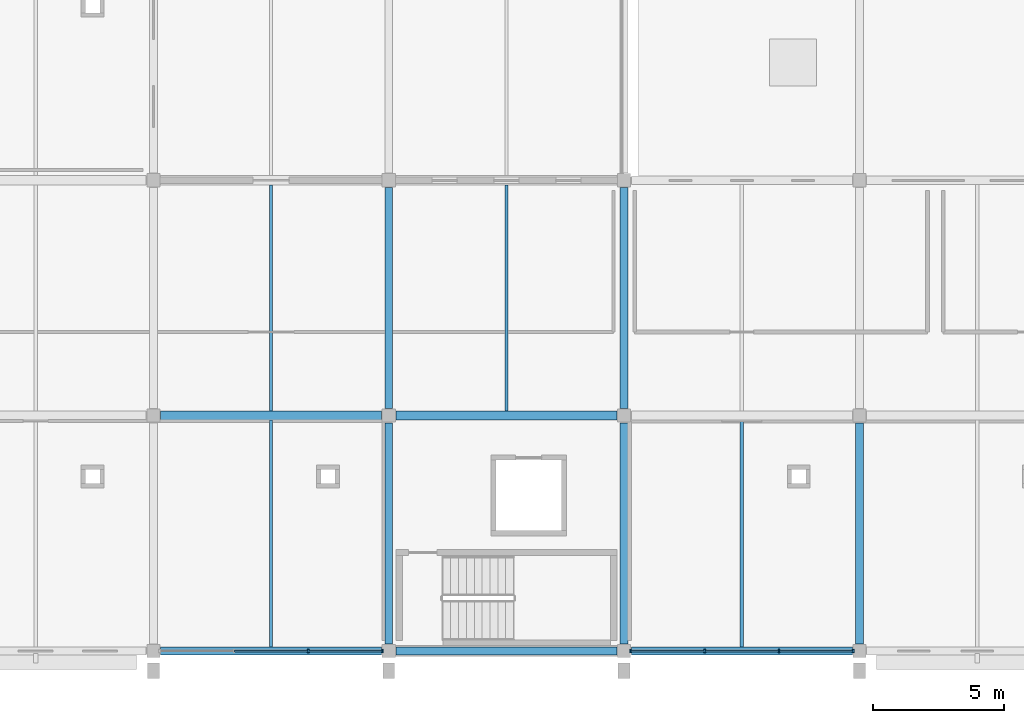
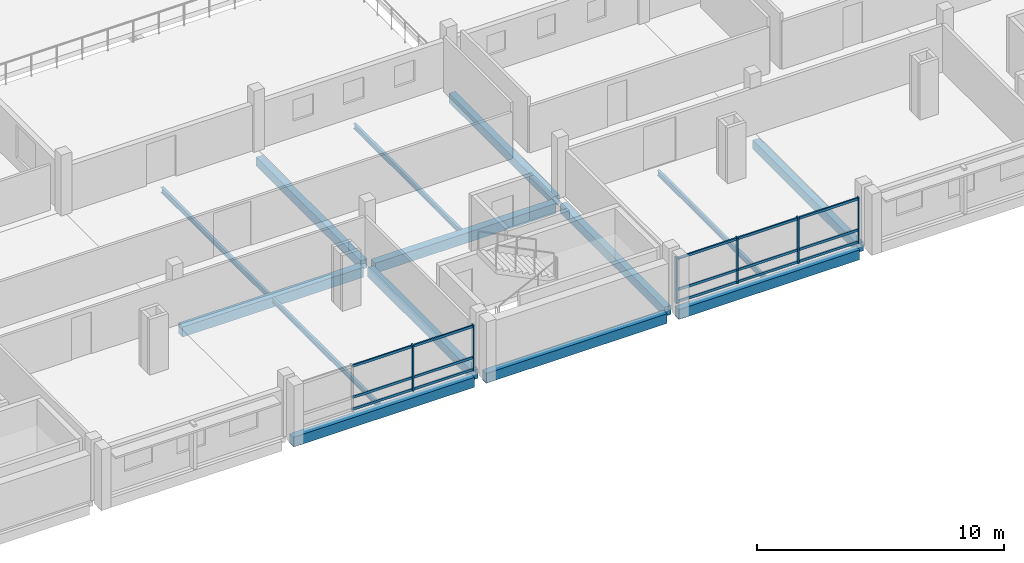
# One storey, part 5 of 25: 21 members, 14 beams, 2 elements without a shape of their own.
"""IFC4 building model written with IfcOpenShell, lengths in metres."""

from ifc_helpers import new_model, si_unit, direction, frame, origin, origin_2d, place, context, subcontext, project, spatial, rectangle, i_section, extrude, material, material_profile, profile_set, type_object, element, aggregate, save


model = new_model("IFC4")

# Units and contexts
model_context = context("Model", 3, precision=1e-05, world=origin(), true_north=direction((0.0, 1.0)))
body_context = subcontext(model_context, "Body", "Model", "MODEL_VIEW")
ifc_project = project(units=[si_unit("LENGTHUNIT", "METRE"), si_unit("AREAUNIT", "SQUARE_METRE"), si_unit("VOLUMEUNIT", "CUBIC_METRE"), si_unit("PLANEANGLEUNIT", "RADIAN"), si_unit("MASSUNIT", "GRAM", prefix="KILO")], contexts=[model_context])

# Site, building, storey
site_placement = place(None, origin())
site = spatial("IfcSite", under=ifc_project, at=site_placement, CompositionType="ELEMENT")
building_placement = place(site_placement, origin())
building = spatial("IfcBuilding", under=site, at=building_placement, Name="Tharagai Park Tramway Depot", CompositionType="ELEMENT")
storey_placement = place(building_placement, frame((0.0, 0.0, 12.0)))
storey = spatial("IfcBuildingStorey", under=building, at=storey_placement, Name="L03", CompositionType="ELEMENT", Elevation=12.0)

# Beams
ifc_material_1 = material(Name="Concrete M35", Category="concrete")
ifc_material_profile_1 = material_profile(ifc_material_1, rectangle(XDim=0.35009765625, YDim=0.5, at=origin_2d()), Name="RC 350x500")
ifc_profile_set_1 = profile_set([ifc_material_profile_1], Name="Concrete M35")
beam_type_1 = type_object("IfcBeamType", Name="BM-11", PredefinedType="BEAM", material=ifc_profile_set_1)
for number, where, z_axis, x_axis, name in (
    (1, (27.27490234375, 9.0, -0.5), (1.0, 0.0, 0.0), (0.0, 1.0, 0.0), "L03 Grid Beam BM-11"),
    (2, (36.27490234375, 9.0, -0.5), (1.0, 0.0, 0.0), (0.0, 1.0, 0.0), "L03 Grid Beam BM-11"),
):
    element("IfcBeam", number, at=place(storey_placement, frame(where, z_axis=z_axis, x_axis=x_axis)), inside=storey, type_object=beam_type_1, Name=name, PredefinedType="BEAM", context=body_context, shape_type="SweptSolid", body=[
        extrude(rectangle(XDim=0.35009765625, YDim=0.5, at=origin_2d()), origin(), (0.0, 0.0, 1.0), 8.4501953125),
    ])
ifc_material_profile_2 = material_profile(ifc_material_1, rectangle(XDim=0.300048828125, YDim=0.449951171875, at=origin_2d()), Name="RC 300x450")
ifc_profile_set_2 = profile_set([ifc_material_profile_2], Name="Concrete M35")
beam_type_2 = type_object("IfcBeamType", Name="BM-14", PredefinedType="BEAM", material=ifc_profile_set_2)
for number, where, z_axis, x_axis, name in (
    (3, (36.0, 0.27490234375, -0.47509765625), (0.0, 1.0, 0.0), (-1.0, 0.0, 0.0), "L03 Grid Beam BM-14"),
    (4, (36.0, 9.27490234375, -0.47509765625), (0.0, 1.0, 0.0), (-1.0, 0.0, 0.0), "L03 Grid Beam BM-14"),
    (5, (45.0, 0.27490234375, -0.47509765625), (0.0, 1.0, 0.0), (-1.0, 0.0, 0.0), "L03 Grid Beam BM-14"),
    (6, (45.0, 9.27490234375, -0.47509765625), (0.0, 1.0, 0.0), (-1.0, 0.0, 0.0), "L03 Grid Beam BM-14"),
    (7, (54.0, 0.27490234375, -0.47509765625), (0.0, 1.0, 0.0), (-1.0, 0.0, 0.0), "L03 Grid Beam BM-14"),
):
    element("IfcBeam", number, at=place(storey_placement, frame(where, z_axis=z_axis, x_axis=x_axis)), inside=storey, type_object=beam_type_2, Name=name, PredefinedType="BEAM", context=body_context, shape_type="SweptSolid", body=[
        extrude(rectangle(XDim=0.300048828125, YDim=0.449951171875, at=origin_2d()), origin(), (0.0, 0.0, 1.0), 8.4501953125),
    ])

# Curtain wall, members
ifc_material_2 = material(Name="Anodised aluminium", Category="aluminium")
curtain_wall_type = type_object("IfcCurtainWallType", Name="CW-01", PredefinedType="NOTDEFINED", material=ifc_material_2)
curtain_wall_1_placement = place(storey_placement, origin())
curtain_wall_1 = element("IfcCurtainWall", 8, at=curtain_wall_1_placement, inside=storey, type_object=curtain_wall_type, Name="L03 V4 Gothic Mullioned Curtain Wall CW-01", PredefinedType="NOTDEFINED")
ifc_material_profile_3 = material_profile(ifc_material_2, rectangle(XDim=0.06494140625, YDim=0.1201171875, at=origin_2d()), Name="ALU 65x120")
ifc_profile_set_3 = profile_set([ifc_material_profile_3], Name="Anodised aluminium")
member_type_1 = type_object("IfcMemberType", Name="CM-01", PredefinedType="USERDEFINED", material=ifc_profile_set_3)
member_1_placement = place(storey_placement, frame((30.094970703125, 0.0, 0.06005859375), z_axis=(1.0, 0.0, 0.0), x_axis=(0.0, 1.0, 0.0)))
member_1 = element("IfcMember", 9, at=member_1_placement, type_object=member_type_1, Name="L03 V4 Gothic Mullioned Curtain Wall Transom 2.1", ObjectType="TRANSOM", PredefinedType="USERDEFINED", context=body_context, shape_type="SweptSolid", body=[
    extrude(rectangle(XDim=0.06494140625, YDim=0.1201171875, at=origin_2d()), origin(), (0.0, 0.0, 1.0), 2.81005859375),
])
member_2_placement = place(storey_placement, frame((30.094970703125, 0.0, 0.64990234375), z_axis=(1.0, 0.0, 0.0), x_axis=(0.0, 1.0, 0.0)))
member_2 = element("IfcMember", 10, at=member_2_placement, type_object=member_type_1, Name="L03 V4 Gothic Mullioned Curtain Wall Transom 2.2", ObjectType="TRANSOM", PredefinedType="USERDEFINED", context=body_context, shape_type="SweptSolid", body=[
    extrude(rectangle(XDim=0.06494140625, YDim=0.1201171875, at=origin_2d()), origin(), (0.0, 0.0, 1.0), 2.81005859375),
])
member_3_placement = place(storey_placement, frame((30.094970703125, 0.0, 2.18994140625), z_axis=(1.0, 0.0, 0.0), x_axis=(0.0, 1.0, 0.0)))
member_3 = element("IfcMember", 11, at=member_3_placement, type_object=member_type_1, Name="L03 V4 Gothic Mullioned Curtain Wall Transom 2.3", ObjectType="TRANSOM", PredefinedType="USERDEFINED", context=body_context, shape_type="SweptSolid", body=[
    extrude(rectangle(XDim=0.06494140625, YDim=0.1201171875, at=origin_2d()), origin(), (0.0, 0.0, 1.0), 2.81005859375),
])
member_4_placement = place(storey_placement, frame((32.93505859375, 0.0, 0.06005859375), z_axis=(1.0, 0.0, 0.0), x_axis=(0.0, 1.0, 0.0)))
member_4 = element("IfcMember", 12, at=member_4_placement, type_object=member_type_1, Name="L03 V4 Gothic Mullioned Curtain Wall Transom 3.1", ObjectType="TRANSOM", PredefinedType="USERDEFINED", context=body_context, shape_type="SweptSolid", body=[
    extrude(rectangle(XDim=0.06494140625, YDim=0.1201171875, at=origin_2d()), origin(), (0.0, 0.0, 1.0), 2.81005859375),
])
member_5_placement = place(storey_placement, frame((32.93505859375, 0.0, 0.64990234375), z_axis=(1.0, 0.0, 0.0), x_axis=(0.0, 1.0, 0.0)))
member_5 = element("IfcMember", 13, at=member_5_placement, type_object=member_type_1, Name="L03 V4 Gothic Mullioned Curtain Wall Transom 3.2", ObjectType="TRANSOM", PredefinedType="USERDEFINED", context=body_context, shape_type="SweptSolid", body=[
    extrude(rectangle(XDim=0.06494140625, YDim=0.1201171875, at=origin_2d()), origin(), (0.0, 0.0, 1.0), 2.81005859375),
])
member_6_placement = place(storey_placement, frame((32.93505859375, 0.0, 2.18994140625), z_axis=(1.0, 0.0, 0.0), x_axis=(0.0, 1.0, 0.0)))
member_6 = element("IfcMember", 14, at=member_6_placement, type_object=member_type_1, Name="L03 V4 Gothic Mullioned Curtain Wall Transom 3.3", ObjectType="TRANSOM", PredefinedType="USERDEFINED", context=body_context, shape_type="SweptSolid", body=[
    extrude(rectangle(XDim=0.06494140625, YDim=0.1201171875, at=origin_2d()), origin(), (0.0, 0.0, 1.0), 2.81005859375),
])

curtain_wall_2_placement = place(storey_placement, origin())
curtain_wall_2 = element("IfcCurtainWall", 15, at=curtain_wall_2_placement, inside=storey, type_object=curtain_wall_type, Name="L03 V4 Gothic Mullioned Curtain Wall CW-01", PredefinedType="NOTDEFINED")
member_7_placement = place(storey_placement, frame((45.2548828125, 0.0, 0.06005859375), z_axis=(1.0, 0.0, 0.0), x_axis=(0.0, 1.0, 0.0)))
member_7 = element("IfcMember", 16, at=member_7_placement, type_object=member_type_1, Name="L03 V4 Gothic Mullioned Curtain Wall Transom 1.1", ObjectType="TRANSOM", PredefinedType="USERDEFINED", context=body_context, shape_type="SweptSolid", body=[
    extrude(rectangle(XDim=0.06494140625, YDim=0.1201171875, at=origin_2d()), origin(), (0.0, 0.0, 1.0), 2.81005859375),
])
member_8_placement = place(storey_placement, frame((45.2548828125, 0.0, 0.64990234375), z_axis=(1.0, 0.0, 0.0), x_axis=(0.0, 1.0, 0.0)))
member_8 = element("IfcMember", 17, at=member_8_placement, type_object=member_type_1, Name="L03 V4 Gothic Mullioned Curtain Wall Transom 1.2", ObjectType="TRANSOM", PredefinedType="USERDEFINED", context=body_context, shape_type="SweptSolid", body=[
    extrude(rectangle(XDim=0.06494140625, YDim=0.1201171875, at=origin_2d()), origin(), (0.0, 0.0, 1.0), 2.81005859375),
])
member_9_placement = place(storey_placement, frame((45.2548828125, 0.0, 2.18994140625), z_axis=(1.0, 0.0, 0.0), x_axis=(0.0, 1.0, 0.0)))
member_9 = element("IfcMember", 18, at=member_9_placement, type_object=member_type_1, Name="L03 V4 Gothic Mullioned Curtain Wall Transom 1.3", ObjectType="TRANSOM", PredefinedType="USERDEFINED", context=body_context, shape_type="SweptSolid", body=[
    extrude(rectangle(XDim=0.06494140625, YDim=0.1201171875, at=origin_2d()), origin(), (0.0, 0.0, 1.0), 2.81005859375),
])
member_10_placement = place(storey_placement, frame((48.094970703125, 0.0, 0.06005859375), z_axis=(1.0, 0.0, 0.0), x_axis=(0.0, 1.0, 0.0)))
member_10 = element("IfcMember", 19, at=member_10_placement, type_object=member_type_1, Name="L03 V4 Gothic Mullioned Curtain Wall Transom 2.1", ObjectType="TRANSOM", PredefinedType="USERDEFINED", context=body_context, shape_type="SweptSolid", body=[
    extrude(rectangle(XDim=0.06494140625, YDim=0.1201171875, at=origin_2d()), origin(), (0.0, 0.0, 1.0), 2.81005859375),
])
member_11_placement = place(storey_placement, frame((48.094970703125, 0.0, 0.64990234375), z_axis=(1.0, 0.0, 0.0), x_axis=(0.0, 1.0, 0.0)))
member_11 = element("IfcMember", 20, at=member_11_placement, type_object=member_type_1, Name="L03 V4 Gothic Mullioned Curtain Wall Transom 2.2", ObjectType="TRANSOM", PredefinedType="USERDEFINED", context=body_context, shape_type="SweptSolid", body=[
    extrude(rectangle(XDim=0.06494140625, YDim=0.1201171875, at=origin_2d()), origin(), (0.0, 0.0, 1.0), 2.81005859375),
])
member_12_placement = place(storey_placement, frame((48.094970703125, 0.0, 2.18994140625), z_axis=(1.0, 0.0, 0.0), x_axis=(0.0, 1.0, 0.0)))
member_12 = element("IfcMember", 21, at=member_12_placement, type_object=member_type_1, Name="L03 V4 Gothic Mullioned Curtain Wall Transom 2.3", ObjectType="TRANSOM", PredefinedType="USERDEFINED", context=body_context, shape_type="SweptSolid", body=[
    extrude(rectangle(XDim=0.06494140625, YDim=0.1201171875, at=origin_2d()), origin(), (0.0, 0.0, 1.0), 2.81005859375),
])
member_13_placement = place(storey_placement, frame((50.93505859375, 0.0, 0.06005859375), z_axis=(1.0, 0.0, 0.0), x_axis=(0.0, 1.0, 0.0)))
member_13 = element("IfcMember", 22, at=member_13_placement, type_object=member_type_1, Name="L03 V4 Gothic Mullioned Curtain Wall Transom 3.1", ObjectType="TRANSOM", PredefinedType="USERDEFINED", context=body_context, shape_type="SweptSolid", body=[
    extrude(rectangle(XDim=0.06494140625, YDim=0.1201171875, at=origin_2d()), origin(), (0.0, 0.0, 1.0), 2.81005859375),
])
member_14_placement = place(storey_placement, frame((50.93505859375, 0.0, 0.64990234375), z_axis=(1.0, 0.0, 0.0), x_axis=(0.0, 1.0, 0.0)))
member_14 = element("IfcMember", 23, at=member_14_placement, type_object=member_type_1, Name="L03 V4 Gothic Mullioned Curtain Wall Transom 3.2", ObjectType="TRANSOM", PredefinedType="USERDEFINED", context=body_context, shape_type="SweptSolid", body=[
    extrude(rectangle(XDim=0.06494140625, YDim=0.1201171875, at=origin_2d()), origin(), (0.0, 0.0, 1.0), 2.81005859375),
])
member_15_placement = place(storey_placement, frame((50.93505859375, 0.0, 2.18994140625), z_axis=(1.0, 0.0, 0.0), x_axis=(0.0, 1.0, 0.0)))
member_15 = element("IfcMember", 24, at=member_15_placement, type_object=member_type_1, Name="L03 V4 Gothic Mullioned Curtain Wall Transom 3.3", ObjectType="TRANSOM", PredefinedType="USERDEFINED", context=body_context, shape_type="SweptSolid", body=[
    extrude(rectangle(XDim=0.06494140625, YDim=0.1201171875, at=origin_2d()), origin(), (0.0, 0.0, 1.0), 2.81005859375),
])

# Member
ifc_material_profile_4 = material_profile(ifc_material_2, rectangle(XDim=0.06494140625, YDim=0.14990234375, at=origin_2d()), Name="ALU 65x150")
ifc_profile_set_4 = profile_set([ifc_material_profile_4], Name="Anodised aluminium")
member_type_2 = type_object("IfcMemberType", Name="CM-03", PredefinedType="MULLION", material=ifc_profile_set_4)
member_16_placement = place(storey_placement, frame((32.919921875, 0.0, -0.0048828125), z_axis=(0.0, 0.0, 1.0), x_axis=(1.0, 0.0, 0.0)))
member_16 = element("IfcMember", 25, at=member_16_placement, type_object=member_type_2, Name="L03 V4 Gothic Mullioned Curtain Wall Mullion 3", PredefinedType="MULLION", context=body_context, shape_type="SweptSolid", body=[
    extrude(rectangle(XDim=0.06494140625, YDim=0.14990234375, at=origin_2d()), origin(), (0.0, 0.0, 1.0), 2.27978515625),
])

member_17_placement = place(storey_placement, frame((35.760009765625, 0.0, -0.0048828125), z_axis=(0.0, 0.0, 1.0), x_axis=(1.0, 0.0, 0.0)))
member_17 = element("IfcMember", 26, at=member_17_placement, type_object=member_type_2, Name="L03 V4 Gothic Mullioned Curtain Wall Mullion 4", PredefinedType="MULLION", context=body_context, shape_type="SweptSolid", body=[
    extrude(rectangle(XDim=0.06494140625, YDim=0.14990234375, at=origin_2d()), origin(), (0.0, 0.0, 1.0), 2.27978515625),
])

aggregate(curtain_wall_1, [member_16, member_17, member_1, member_2, member_3, member_4, member_5, member_6])

member_18_placement = place(storey_placement, frame((45.239990234375, 0.0, -0.0048828125), z_axis=(0.0, 0.0, 1.0), x_axis=(1.0, 0.0, 0.0)))
member_18 = element("IfcMember", 27, at=member_18_placement, type_object=member_type_2, Name="L03 V4 Gothic Mullioned Curtain Wall Mullion 1", PredefinedType="MULLION", context=body_context, shape_type="SweptSolid", body=[
    extrude(rectangle(XDim=0.06494140625, YDim=0.14990234375, at=origin_2d()), origin(), (0.0, 0.0, 1.0), 2.27978515625),
])

member_19_placement = place(storey_placement, frame((48.080078125, 0.0, -0.0048828125), z_axis=(0.0, 0.0, 1.0), x_axis=(1.0, 0.0, 0.0)))
member_19 = element("IfcMember", 28, at=member_19_placement, type_object=member_type_2, Name="L03 V4 Gothic Mullioned Curtain Wall Mullion 2", PredefinedType="MULLION", context=body_context, shape_type="SweptSolid", body=[
    extrude(rectangle(XDim=0.06494140625, YDim=0.14990234375, at=origin_2d()), origin(), (0.0, 0.0, 1.0), 2.27978515625),
])

member_20_placement = place(storey_placement, frame((50.919921875, 0.0, -0.0048828125), z_axis=(0.0, 0.0, 1.0), x_axis=(1.0, 0.0, 0.0)))
member_20 = element("IfcMember", 29, at=member_20_placement, type_object=member_type_2, Name="L03 V4 Gothic Mullioned Curtain Wall Mullion 3", PredefinedType="MULLION", context=body_context, shape_type="SweptSolid", body=[
    extrude(rectangle(XDim=0.06494140625, YDim=0.14990234375, at=origin_2d()), origin(), (0.0, 0.0, 1.0), 2.27978515625),
])

member_21_placement = place(storey_placement, frame((53.760009765625, 0.0, -0.0048828125), z_axis=(0.0, 0.0, 1.0), x_axis=(1.0, 0.0, 0.0)))
member_21 = element("IfcMember", 30, at=member_21_placement, type_object=member_type_2, Name="L03 V4 Gothic Mullioned Curtain Wall Mullion 4", PredefinedType="MULLION", context=body_context, shape_type="SweptSolid", body=[
    extrude(rectangle(XDim=0.06494140625, YDim=0.14990234375, at=origin_2d()), origin(), (0.0, 0.0, 1.0), 2.27978515625),
])

aggregate(curtain_wall_2, [member_18, member_19, member_20, member_21, member_7, member_8, member_9, member_10, member_11, member_12, member_13, member_14, member_15])

# Beams
ifc_material_3 = material(Name="Steel E250", Category="steel")
ifc_material_profile_5 = material_profile(ifc_material_3, i_section(OverallWidth=0.125, OverallDepth=0.25, WebThickness=0.006103515625, FlangeThickness=0.00830078125, FilletRadius=0.010009765625, at=origin_2d()), Name="ISLB 250")
ifc_profile_set_5 = profile_set([ifc_material_profile_5], Name="Steel E250")
beam_type_3 = type_object("IfcBeamType", Name="JT-04", PredefinedType="JOIST", material=ifc_profile_set_5)
beam_1_placement = place(storey_placement, frame((31.5, 0.159912109375, -0.375), z_axis=(0.0, 1.0, 0.0), x_axis=(-1.0, 0.0, 0.0)))
element("IfcBeam", 31, at=beam_1_placement, inside=storey, type_object=beam_type_3, Name="L03 Secondary Joist JT-04", PredefinedType="JOIST", context=body_context, shape_type="SweptSolid", body=[
    extrude(i_section(OverallWidth=0.125, OverallDepth=0.25, WebThickness=0.006103515625, FlangeThickness=0.00830078125, FilletRadius=0.010009765625, at=origin_2d()), origin(), (0.0, 0.0, 1.0), 8.6650390625),
])
for number, where, z_axis, x_axis, name in (
    (32, (31.5, 9.175048828125, -0.375), (0.0, 1.0, 0.0), (-1.0, 0.0, 0.0), "L03 Secondary Joist JT-04"),
    (33, (40.5, 9.175048828125, -0.375), (0.0, 1.0, 0.0), (-1.0, 0.0, 0.0), "L03 Secondary Joist JT-04"),
):
    element("IfcBeam", number, at=place(storey_placement, frame(where, z_axis=z_axis, x_axis=x_axis)), inside=storey, type_object=beam_type_3, Name=name, PredefinedType="JOIST", context=body_context, shape_type="SweptSolid", body=[
        extrude(i_section(OverallWidth=0.125, OverallDepth=0.25, WebThickness=0.006103515625, FlangeThickness=0.00830078125, FilletRadius=0.010009765625, at=origin_2d()), origin(), (0.0, 0.0, 1.0), 8.64990234375),
    ])
beam_2_placement = place(storey_placement, frame((49.5, 0.159912109375, -0.375), z_axis=(0.0, 1.0, 0.0), x_axis=(-1.0, 0.0, 0.0)))
element("IfcBeam", 34, at=beam_2_placement, inside=storey, type_object=beam_type_3, Name="L03 Secondary Joist JT-04", PredefinedType="JOIST", context=body_context, shape_type="SweptSolid", body=[
    extrude(i_section(OverallWidth=0.125, OverallDepth=0.25, WebThickness=0.006103515625, FlangeThickness=0.00830078125, FilletRadius=0.010009765625, at=origin_2d()), origin(), (0.0, 0.0, 1.0), 8.6650390625),
])
ifc_material_profile_6 = material_profile(ifc_material_1, rectangle(XDim=0.320068359375, YDim=0.47998046875, at=origin_2d()), Name="RC 320x480")
ifc_profile_set_6 = profile_set([ifc_material_profile_6], Name="Concrete M35")
beam_type_4 = type_object("IfcBeamType", Name="SP-05", PredefinedType="SPANDREL", material=ifc_profile_set_6)
for number, where, z_axis, x_axis, name in (
    (35, (27.27490234375, 0.0, -0.489990234375), (1.0, 0.0, 0.0), (0.0, 1.0, 0.0), "L03 Grid Beam SP-05"),
    (36, (36.27490234375, 0.0, -0.489990234375), (1.0, 0.0, 0.0), (0.0, 1.0, 0.0), "L03 Grid Beam SP-05"),
    (37, (45.27490234375, 0.0, -0.489990234375), (1.0, 0.0, 0.0), (0.0, 1.0, 0.0), "L03 Grid Beam SP-05"),
):
    element("IfcBeam", number, at=place(storey_placement, frame(where, z_axis=z_axis, x_axis=x_axis)), inside=storey, type_object=beam_type_4, Name=name, PredefinedType="SPANDREL", context=body_context, shape_type="SweptSolid", body=[
        extrude(rectangle(XDim=0.320068359375, YDim=0.47998046875, at=origin_2d()), origin(), (0.0, 0.0, 1.0), 8.4501953125),
    ])

save(model, "model.ifc")
